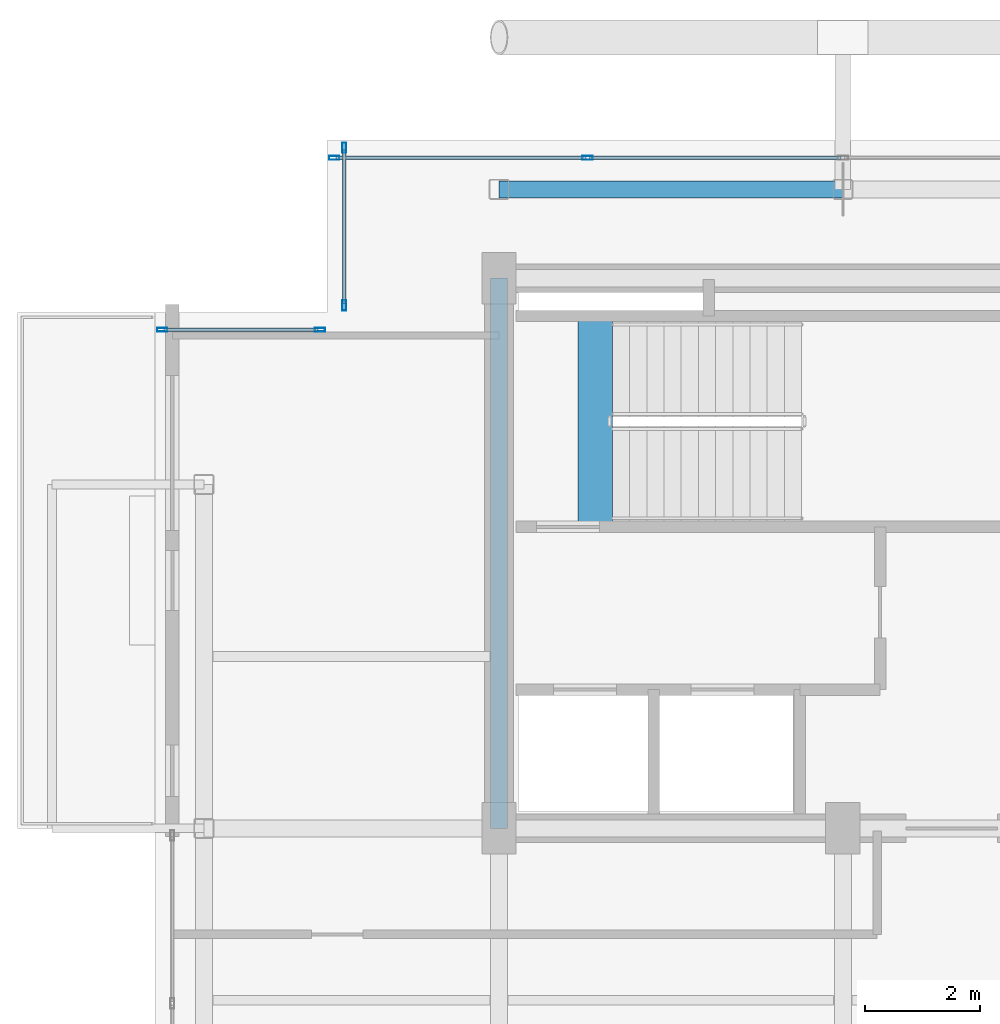
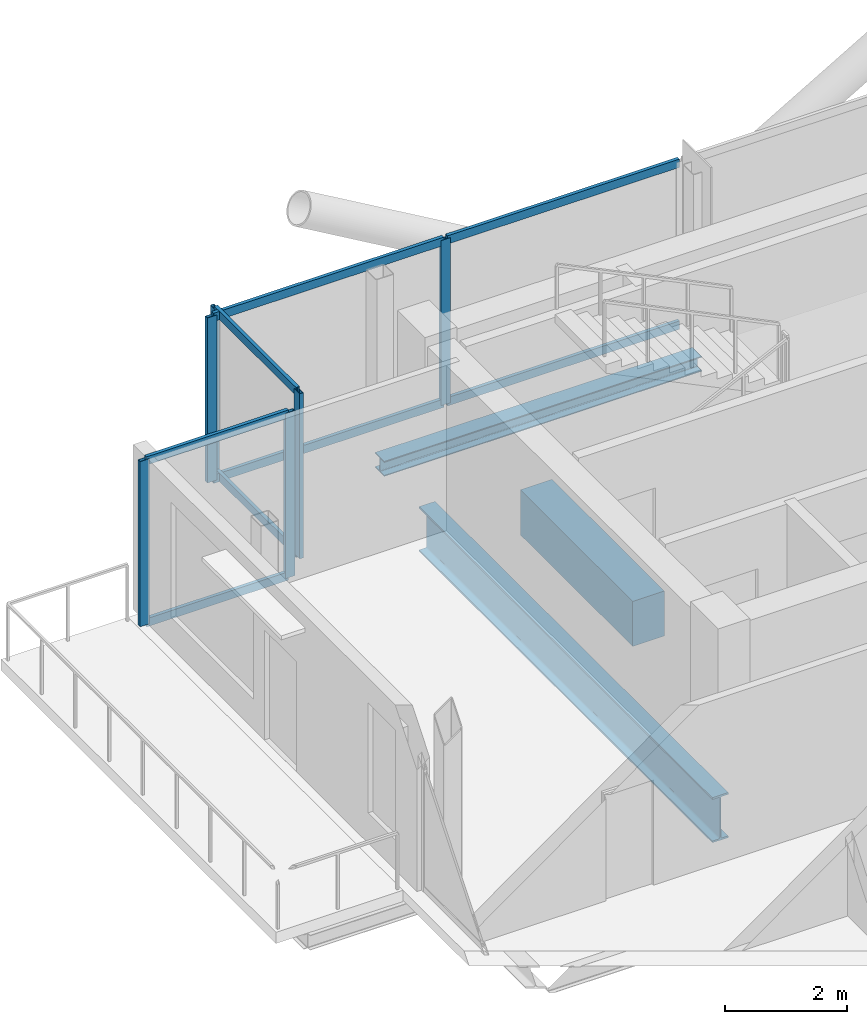
# One storey, part 7 of 18: 14 members, 3 beams, 3 elements without a shape of their own.
"""IFC4 building model written with IfcOpenShell, lengths in metres."""

from ifc_helpers import new_model, si_unit, direction, frame, origin, origin_2d, place, context, subcontext, project, spatial, rectangle, hollow_rectangle, i_section, extrude, material, layer, layer_set, material_profile, profile_set, type_object, element, aggregate, save


model = new_model("IFC4")

# Units and contexts
model_context = context("Model", 3, precision=1e-05, world=origin(), true_north=direction((0.0, 1.0)))
body_context = subcontext(model_context, "Body", "Model", "MODEL_VIEW")
ifc_project = project(units=[si_unit("LENGTHUNIT", "METRE"), si_unit("AREAUNIT", "SQUARE_METRE"), si_unit("VOLUMEUNIT", "CUBIC_METRE"), si_unit("PLANEANGLEUNIT", "RADIAN"), si_unit("MASSUNIT", "GRAM", prefix="KILO"), si_unit("THERMODYNAMICTEMPERATUREUNIT", "KELVIN"), si_unit("POWERUNIT", "WATT")], contexts=[model_context])

# Site, building, storey
site_placement = place(None, origin())
site = spatial("IfcSite", under=ifc_project, at=site_placement, CompositionType="ELEMENT")
building_placement = place(site_placement, origin())
building = spatial("IfcBuilding", under=site, at=building_placement, Name="Svarakhadi Broadcast Tower", CompositionType="ELEMENT")
storey_placement = place(building_placement, frame((0.0, 0.0, 260.699951171875)))
storey = spatial("IfcBuildingStorey", under=building, at=storey_placement, Name="L65", CompositionType="ELEMENT", Elevation=260.699951171875)

# Curtain wall, members
ifc_material_1 = material(Name="Anodised Bronze Aluminium AA 6063-T6", Category="aluminium")
ifc_layer = layer(ifc_material_1, 0.179931640625)
ifc_layer_set = layer_set([ifc_layer], Name="Anodised Bronze Aluminium AA 6063-T6")
curtain_wall_type = type_object("IfcCurtainWallType", Name="CW_Sys_05", PredefinedType="NOTDEFINED", material=ifc_layer_set)
curtain_wall_1_placement = place(storey_placement, origin())
curtain_wall_1 = element("IfcCurtainWall", 1, at=curtain_wall_1_placement, inside=storey, type_object=curtain_wall_type, Name="L65 Unitised Facade Curtain Wall 03", PredefinedType="NOTDEFINED")
ifc_material_profile_1 = material_profile(ifc_material_1, hollow_rectangle(XDim=0.070068359375, YDim=0.179931640625, WallThickness=0.005615234375, at=origin_2d()), Name="ALU MULLION 180x70x6")
ifc_profile_set_1 = profile_set([ifc_material_profile_1], Name="Anodised Bronze Aluminium AA 6063-T6")
member_type_1 = type_object("IfcMemberType", Name="CW_Sys_05_Mul", PredefinedType="MULLION", material=ifc_profile_set_1)
member_1_placement = place(storey_placement, frame((0.125, 26.699951171875, 0.0), z_axis=(0.0, 0.0, 1.0), x_axis=(0.0, 1.0, 0.0)))
member_1 = element("IfcMember", 2, at=member_1_placement, type_object=member_type_1, Name="CW-05 mullion 1", PredefinedType="MULLION", context=body_context, shape_type="SweptSolid", body=[
    extrude(hollow_rectangle(XDim=0.070068359375, YDim=0.179931640625, WallThickness=0.005615234375, at=origin_2d()), origin(), (0.0, 0.0, 1.0), 3.300048828125),
])
member_2_placement = place(storey_placement, frame((2.875, 26.699951171875, 0.0), z_axis=(0.0, 0.0, 1.0), x_axis=(0.0, 1.0, 0.0)))
member_2 = element("IfcMember", 3, at=member_2_placement, type_object=member_type_1, Name="CW-05 mullion 2", PredefinedType="MULLION", context=body_context, shape_type="SweptSolid", body=[
    extrude(hollow_rectangle(XDim=0.070068359375, YDim=0.179931640625, WallThickness=0.005615234375, at=origin_2d()), origin(), (0.0, 0.0, 1.0), 3.300048828125),
])

curtain_wall_2_placement = place(storey_placement, origin())
curtain_wall_2 = element("IfcCurtainWall", 4, at=curtain_wall_2_placement, inside=storey, type_object=curtain_wall_type, Name="L65 Unitised Facade Curtain Wall 04", PredefinedType="NOTDEFINED")
member_3_placement = place(storey_placement, frame((3.300048828125, 27.125, 0.0), z_axis=(0.0, 0.0, 1.0), x_axis=(-1.0, 0.0, 0.0)))
member_3 = element("IfcMember", 5, at=member_3_placement, type_object=member_type_1, Name="CW-05 mullion 1", PredefinedType="MULLION", context=body_context, shape_type="SweptSolid", body=[
    extrude(hollow_rectangle(XDim=0.070068359375, YDim=0.179931640625, WallThickness=0.005615234375, at=origin_2d()), origin(), (0.0, 0.0, 1.0), 3.300048828125),
])
member_4_placement = place(storey_placement, frame((3.300048828125, 29.875, 0.0), z_axis=(0.0, 0.0, 1.0), x_axis=(-1.0, 0.0, 0.0)))
member_4 = element("IfcMember", 6, at=member_4_placement, type_object=member_type_1, Name="CW-05 mullion 2", PredefinedType="MULLION", context=body_context, shape_type="SweptSolid", body=[
    extrude(hollow_rectangle(XDim=0.070068359375, YDim=0.179931640625, WallThickness=0.005615234375, at=origin_2d()), origin(), (0.0, 0.0, 1.0), 3.300048828125),
])

curtain_wall_3_placement = place(storey_placement, origin())
curtain_wall_3 = element("IfcCurtainWall", 7, at=curtain_wall_3_placement, inside=storey, type_object=curtain_wall_type, Name="L65 Unitised Facade Curtain Wall 05", PredefinedType="NOTDEFINED")
member_5_placement = place(storey_placement, frame((3.125, 29.699951171875, 0.0), z_axis=(0.0, 0.0, 1.0), x_axis=(0.0, 1.0, 0.0)))
member_5 = element("IfcMember", 8, at=member_5_placement, type_object=member_type_1, Name="CW-05 mullion 1", PredefinedType="MULLION", context=body_context, shape_type="SweptSolid", body=[
    extrude(hollow_rectangle(XDim=0.070068359375, YDim=0.179931640625, WallThickness=0.005615234375, at=origin_2d()), origin(), (0.0, 0.0, 1.0), 3.300048828125),
])
member_6_placement = place(storey_placement, frame((7.544921875, 29.699951171875, 0.0), z_axis=(0.0, 0.0, 1.0), x_axis=(0.0, 1.0, 0.0)))
member_6 = element("IfcMember", 9, at=member_6_placement, type_object=member_type_1, Name="CW-05 mullion 2", PredefinedType="MULLION", context=body_context, shape_type="SweptSolid", body=[
    extrude(hollow_rectangle(XDim=0.070068359375, YDim=0.179931640625, WallThickness=0.005615234375, at=origin_2d()), origin(), (0.0, 0.0, 1.0), 3.300048828125),
])

# Member
ifc_material_profile_2 = material_profile(ifc_material_1, hollow_rectangle(XDim=0.06494140625, YDim=0.1650390625, WallThickness=0.0048828125, at=origin_2d()), Name="ALU TRANSOM 165x65x5")
ifc_profile_set_2 = profile_set([ifc_material_profile_2], Name="Anodised Bronze Aluminium AA 6063-T6")
member_type_2 = type_object("IfcMemberType", Name="CW_Sys_05_Trn", PredefinedType="USERDEFINED", material=ifc_profile_set_2)
member_7_placement = place(storey_placement, frame((0.159912109375, 26.699951171875, 0.032470703125), z_axis=(1.0, 0.0, 0.0), x_axis=(0.0, 1.0, 0.0)))
member_7 = element("IfcMember", 10, at=member_7_placement, type_object=member_type_2, Name="CW-05 transom 1.1", ObjectType="TRANSOM", PredefinedType="USERDEFINED", context=body_context, shape_type="SweptSolid", body=[
    extrude(hollow_rectangle(XDim=0.06494140625, YDim=0.1650390625, WallThickness=0.0048828125, at=origin_2d()), origin(), (0.0, 0.0, 1.0), 2.68017578125),
])

member_8_placement = place(storey_placement, frame((0.159912109375, 26.699951171875, 3.267578125), z_axis=(1.0, 0.0, 0.0), x_axis=(0.0, 1.0, 0.0)))
member_8 = element("IfcMember", 11, at=member_8_placement, type_object=member_type_2, Name="CW-05 transom 1.2", ObjectType="TRANSOM", PredefinedType="USERDEFINED", context=body_context, shape_type="SweptSolid", body=[
    extrude(hollow_rectangle(XDim=0.06494140625, YDim=0.1650390625, WallThickness=0.0048828125, at=origin_2d()), origin(), (0.0, 0.0, 1.0), 2.68017578125),
])

aggregate(curtain_wall_1, [member_1, member_2, member_7, member_8])

member_9_placement = place(storey_placement, frame((3.300048828125, 27.159912109375, 0.032470703125), z_axis=(0.0, 1.0, 0.0), x_axis=(-1.0, 0.0, 0.0)))
member_9 = element("IfcMember", 12, at=member_9_placement, type_object=member_type_2, Name="CW-05 transom 1.1", ObjectType="TRANSOM", PredefinedType="USERDEFINED", context=body_context, shape_type="SweptSolid", body=[
    extrude(hollow_rectangle(XDim=0.06494140625, YDim=0.1650390625, WallThickness=0.0048828125, at=origin_2d()), origin(), (0.0, 0.0, 1.0), 2.68017578125),
])

member_10_placement = place(storey_placement, frame((3.300048828125, 27.159912109375, 3.267578125), z_axis=(0.0, 1.0, 0.0), x_axis=(-1.0, 0.0, 0.0)))
member_10 = element("IfcMember", 13, at=member_10_placement, type_object=member_type_2, Name="CW-05 transom 1.2", ObjectType="TRANSOM", PredefinedType="USERDEFINED", context=body_context, shape_type="SweptSolid", body=[
    extrude(hollow_rectangle(XDim=0.06494140625, YDim=0.1650390625, WallThickness=0.0048828125, at=origin_2d()), origin(), (0.0, 0.0, 1.0), 2.68017578125),
])

aggregate(curtain_wall_2, [member_3, member_4, member_9, member_10])

member_11_placement = place(storey_placement, frame((3.159912109375, 29.699951171875, 0.032470703125), z_axis=(1.0, 0.0, 0.0), x_axis=(0.0, 1.0, 0.0)))
member_11 = element("IfcMember", 14, at=member_11_placement, type_object=member_type_2, Name="CW-05 transom 1.1", ObjectType="TRANSOM", PredefinedType="USERDEFINED", context=body_context, shape_type="SweptSolid", body=[
    extrude(hollow_rectangle(XDim=0.06494140625, YDim=0.1650390625, WallThickness=0.0048828125, at=origin_2d()), origin(), (0.0, 0.0, 1.0), 4.35009765625),
])

member_12_placement = place(storey_placement, frame((3.159912109375, 29.699951171875, 3.267578125), z_axis=(1.0, 0.0, 0.0), x_axis=(0.0, 1.0, 0.0)))
member_12 = element("IfcMember", 15, at=member_12_placement, type_object=member_type_2, Name="CW-05 transom 1.2", ObjectType="TRANSOM", PredefinedType="USERDEFINED", context=body_context, shape_type="SweptSolid", body=[
    extrude(hollow_rectangle(XDim=0.06494140625, YDim=0.1650390625, WallThickness=0.0048828125, at=origin_2d()), origin(), (0.0, 0.0, 1.0), 4.35009765625),
])

member_13_placement = place(storey_placement, frame((7.580078125, 29.699951171875, 0.032470703125), z_axis=(1.0, 0.0, 0.0), x_axis=(0.0, 1.0, 0.0)))
member_13 = element("IfcMember", 16, at=member_13_placement, type_object=member_type_2, Name="CW-05 transom 2.1", ObjectType="TRANSOM", PredefinedType="USERDEFINED", context=body_context, shape_type="SweptSolid", body=[
    extrude(hollow_rectangle(XDim=0.06494140625, YDim=0.1650390625, WallThickness=0.0048828125, at=origin_2d()), origin(), (0.0, 0.0, 1.0), 4.385009765625),
])

member_14_placement = place(storey_placement, frame((7.580078125, 29.699951171875, 3.267578125), z_axis=(1.0, 0.0, 0.0), x_axis=(0.0, 1.0, 0.0)))
member_14 = element("IfcMember", 17, at=member_14_placement, type_object=member_type_2, Name="CW-05 transom 2.2", ObjectType="TRANSOM", PredefinedType="USERDEFINED", context=body_context, shape_type="SweptSolid", body=[
    extrude(hollow_rectangle(XDim=0.06494140625, YDim=0.1650390625, WallThickness=0.0048828125, at=origin_2d()), origin(), (0.0, 0.0, 1.0), 4.385009765625),
])

aggregate(curtain_wall_3, [member_5, member_6, member_11, member_12, member_13, member_14])

# Beams
ifc_material_2 = material(Name="Concrete C50/60 (IS 456 M60)", Category="concrete")
ifc_material_profile_3 = material_profile(ifc_material_2, rectangle(XDim=0.60009765625, YDim=0.89990234375, at=origin_2d()), Name="RC 600x900")
ifc_profile_set_3 = profile_set([ifc_material_profile_3], Name="Concrete C50/60 (IS 456 M60)")
beam_type_1 = type_object("IfcBeamType", Name="Coupling_RC600", PredefinedType="USERDEFINED", material=ifc_profile_set_3)
beam_1_placement = place(storey_placement, frame((7.679931640625, 23.260009765625, -0.449951171875), z_axis=(0.0, 1.0, 0.0), x_axis=(-1.0, 0.0, 0.0)))
element("IfcBeam", 18, at=beam_1_placement, inside=storey, type_object=beam_type_1, Name="L65 Stair ST-01 Landing Throat Trimmer Beam CB-01", ObjectType="GIRDER", PredefinedType="USERDEFINED", context=body_context, shape_type="SweptSolid", body=[
    extrude(rectangle(XDim=0.60009765625, YDim=0.89990234375, at=origin_2d()), origin(), (0.0, 0.0, 1.0), 3.679931640625),
])
ifc_material_3 = material(Name="Steel S355J2 (IS 2062 E350C)", Category="steel")
ifc_material_profile_4 = material_profile(ifc_material_3, i_section(OverallWidth=0.300048828125, OverallDepth=0.300048828125, WebThickness=0.010986328125, FlangeThickness=0.01904296875, FilletRadius=0.027099609375, at=origin_2d()), Name="WPB 300x300x117")
ifc_profile_set_4 = profile_set([ifc_material_profile_4], Name="Steel S355J2 (IS 2062 E350C)")
beam_type_2 = type_object("IfcBeamType", Name="Girder_WPB300", PredefinedType="USERDEFINED", material=ifc_profile_set_4)
beam_2_placement = place(storey_placement, frame((6.0, 29.14990234375, -0.349853515625), z_axis=(1.0, 0.0, 0.0), x_axis=(0.0, 1.0, 0.0)))
element("IfcBeam", 19, at=beam_2_placement, inside=storey, type_object=beam_type_2, Name="L65 Primary E-W Girder G024", ObjectType="GIRDER", PredefinedType="USERDEFINED", context=body_context, shape_type="SweptSolid", body=[
    extrude(i_section(OverallWidth=0.300048828125, OverallDepth=0.300048828125, WebThickness=0.010986328125, FlangeThickness=0.01904296875, FilletRadius=0.027099609375, at=origin_2d()), origin(), (0.0, 0.0, 1.0), 6.0),
])
ifc_material_4 = material(Name="Steel S460ML (IS 2062 E450BR)", Category="steel")
ifc_material_profile_5 = material_profile(ifc_material_4, i_section(OverallWidth=0.300048828125, OverallDepth=0.89990234375, WebThickness=0.0185546875, FlangeThickness=0.034912109375, FilletRadius=0.030029296875, at=origin_2d()), Name="WPB 900x300x291")
ifc_profile_set_5 = profile_set([ifc_material_profile_5], Name="Steel S460ML (IS 2062 E450BR)")
beam_type_3 = type_object("IfcBeamType", Name="Girder_WPB900", PredefinedType="USERDEFINED", material=ifc_profile_set_5)
beam_3_placement = place(storey_placement, frame((6.0, 18.0, -0.64990234375), z_axis=(0.0, 1.0, 0.0), x_axis=(-1.0, 0.0, 0.0)))
element("IfcBeam", 20, at=beam_3_placement, inside=storey, type_object=beam_type_3, Name="L65 Primary N-S Girder G032", ObjectType="GIRDER", PredefinedType="USERDEFINED", context=body_context, shape_type="SweptSolid", body=[
    extrude(i_section(OverallWidth=0.300048828125, OverallDepth=0.89990234375, WebThickness=0.0185546875, FlangeThickness=0.034912109375, FilletRadius=0.030029296875, at=origin_2d()), origin(), (0.0, 0.0, 1.0), 9.60009765625),
])

save(model, "model.ifc")
